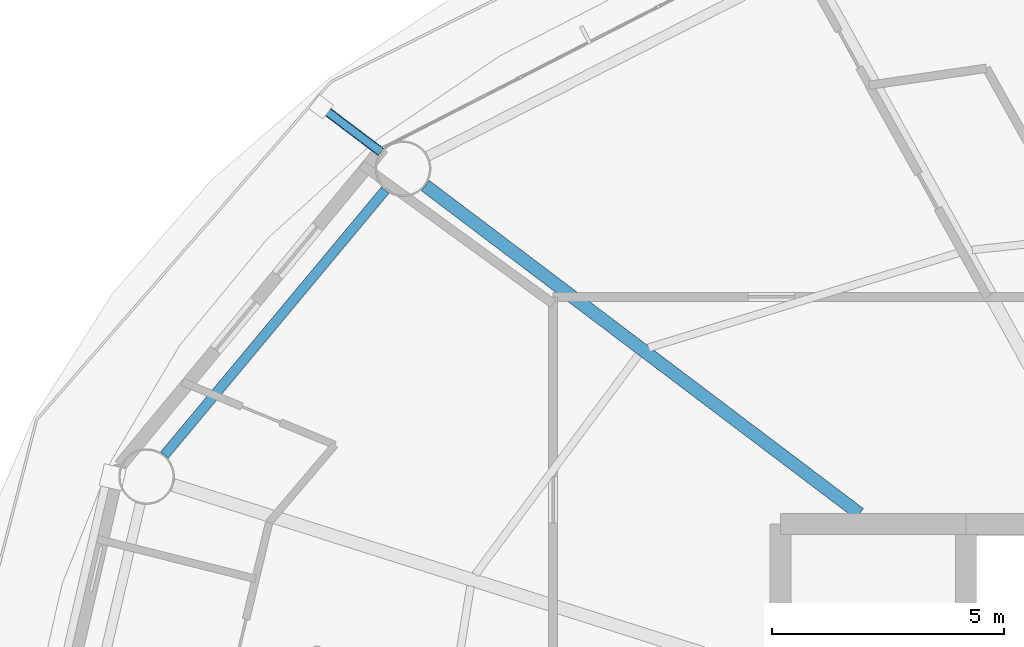
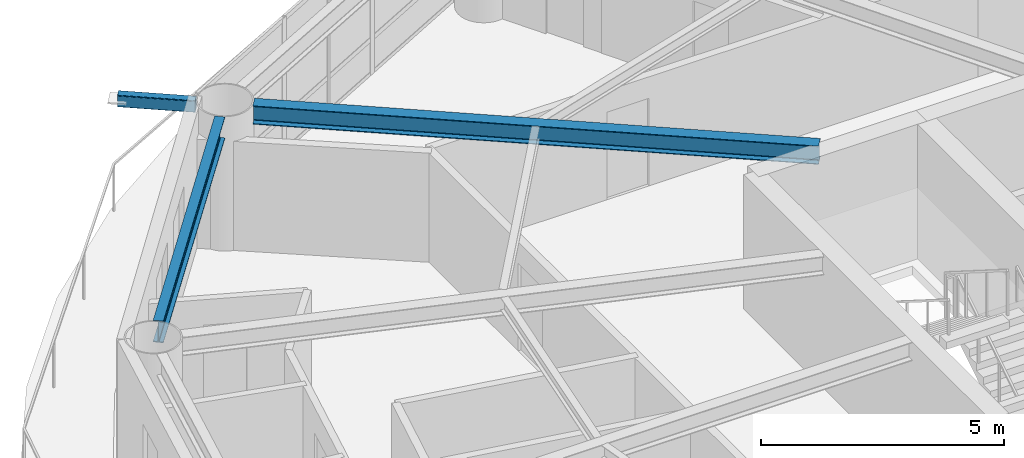
# One storey, part 10 of 28: 2 beams, 1 member.
"""IFC4 building model written with IfcOpenShell, lengths in metres."""

from ifc_helpers import new_model, si_unit, direction, frame, origin, origin_2d, place, context, subcontext, project, spatial, hollow_rectangle, i_section, extrude, material, material_profile, profile_set, type_object, element, save


model = new_model("IFC4")

# Units and contexts
model_context = context("Model", 3, precision=1e-05, world=origin(), true_north=direction((0.0, 1.0)))
body_context = subcontext(model_context, "Body", "Model", "MODEL_VIEW")
ifc_project = project(units=[si_unit("LENGTHUNIT", "METRE"), si_unit("AREAUNIT", "SQUARE_METRE"), si_unit("VOLUMEUNIT", "CUBIC_METRE"), si_unit("PLANEANGLEUNIT", "RADIAN"), si_unit("MASSUNIT", "GRAM", prefix="KILO")], contexts=[model_context])

# Site, building, storey
site_placement = place(None, origin())
site = spatial("IfcSite", under=ifc_project, at=site_placement, CompositionType="ELEMENT")
building_placement = place(site_placement, origin())
building = spatial("IfcBuilding", under=site, at=building_placement, Name="Sarneth Arch Tower", CompositionType="ELEMENT")
storey_placement = place(building_placement, frame((0.0, 0.0, 183.0)))
storey = spatial("IfcBuildingStorey", under=building, at=storey_placement, Name="L46", CompositionType="ELEMENT", Elevation=183.0)

# Beams
ifc_material_1 = material(Name="Steel S355", Category="steel")
ifc_material_profile_1 = material_profile(ifc_material_1, i_section(OverallWidth=0.280029296875, OverallDepth=0.462890625, WebThickness=0.0107421875, FlangeThickness=0.017333984375, FilletRadius=0.01806640625, at=origin_2d()), Name="W460x113")
ifc_profile_set_1 = profile_set([ifc_material_profile_1], Name="Steel S355")
beam_type_1 = type_object("IfcBeamType", Name="BM-RAD-460A", PredefinedType="BEAM", material=ifc_profile_set_1)
beam_1_placement = place(storey_placement, frame((38.70458984375, 49.02490234375, 3.1484375), z_axis=(-0.797784574467, 0.602942594898, 0.0), x_axis=(-0.602942594898, -0.797784574467, 0.0)))
element("IfcBeam", 1, at=beam_1_placement, inside=storey, type_object=beam_type_1, Name="L46 Radial floor girder 07", PredefinedType="BEAM", context=body_context, shape_type="SweptSolid", body=[
    extrude(i_section(OverallWidth=0.280029296875, OverallDepth=0.462890625, WebThickness=0.0107421875, FlangeThickness=0.017333984375, FilletRadius=0.01806640625, at=origin_2d()), origin(), (0.0, 0.0, 1.0), 11.73193359375),
])
ifc_material_2 = material(Name="Steel S355", Category="steel")
ifc_material_profile_2 = material_profile(ifc_material_2, i_section(OverallWidth=0.214111328125, OverallDepth=0.549072265625, WebThickness=0.0146484375, FlangeThickness=0.023681640625, FilletRadius=0.01806640625, at=origin_2d()), Name="W530x138")
ifc_profile_set_2 = profile_set([ifc_material_profile_2], Name="Steel S355")
beam_type_2 = type_object("IfcBeamType", Name="BM-RAD-530A", PredefinedType="BEAM", material=ifc_profile_set_2)
beam_2_placement = place(storey_placement, frame((28.482177734375, 55.99951171875, 3.10546875), z_axis=(-0.640161793626, -0.768240117399, 0.0), x_axis=(0.768240117399, -0.640161793626, 0.0)))
element("IfcBeam", 2, at=beam_2_placement, inside=storey, type_object=beam_type_2, Name="L46 Perimeter spandrel beam 07", PredefinedType="BEAM", context=body_context, shape_type="SweptSolid", body=[
    extrude(i_section(OverallWidth=0.214111328125, OverallDepth=0.549072265625, WebThickness=0.0146484375, FlangeThickness=0.023681640625, FilletRadius=0.01806640625, at=origin_2d()), origin(), (0.0, 0.0, 1.0), 7.43603515625),
])

# Member
ifc_material_3 = material(Name="Steel S355", Category="steel")
ifc_material_profile_3 = material_profile(ifc_material_3, hollow_rectangle(XDim=0.199951171875, YDim=0.300048828125, WallThickness=0.012451171875, InnerFilletRadius=0.018798828125, OuterFilletRadius=0.03125, at=origin_2d()), Name="RHS300x200x12.5")
ifc_profile_set_3 = profile_set([ifc_material_profile_3], Name="Steel S355")
member_type = type_object("IfcMemberType", Name="MEM-CANT-STRUT", PredefinedType="STRUT", material=ifc_profile_set_3)
member_placement = place(storey_placement, frame((28.387451171875, 56.822021484375, 3.219970703125), z_axis=(-0.797742771317, 0.602997902826, 0.0), x_axis=(-0.602997902826, -0.797742771317, 0.0)))
element("IfcMember", 3, at=member_placement, inside=storey, type_object=member_type, Name="L46 Balcony cantilever bracket 07", PredefinedType="STRUT", context=body_context, shape_type="SweptSolid", body=[
    extrude(hollow_rectangle(XDim=0.199951171875, YDim=0.300048828125, WallThickness=0.012451171875, InnerFilletRadius=0.018798828125, OuterFilletRadius=0.03125, at=origin_2d()), origin(), (0.0, 0.0, 1.0), 1.613525390625),
])

save(model, "model.ifc")
